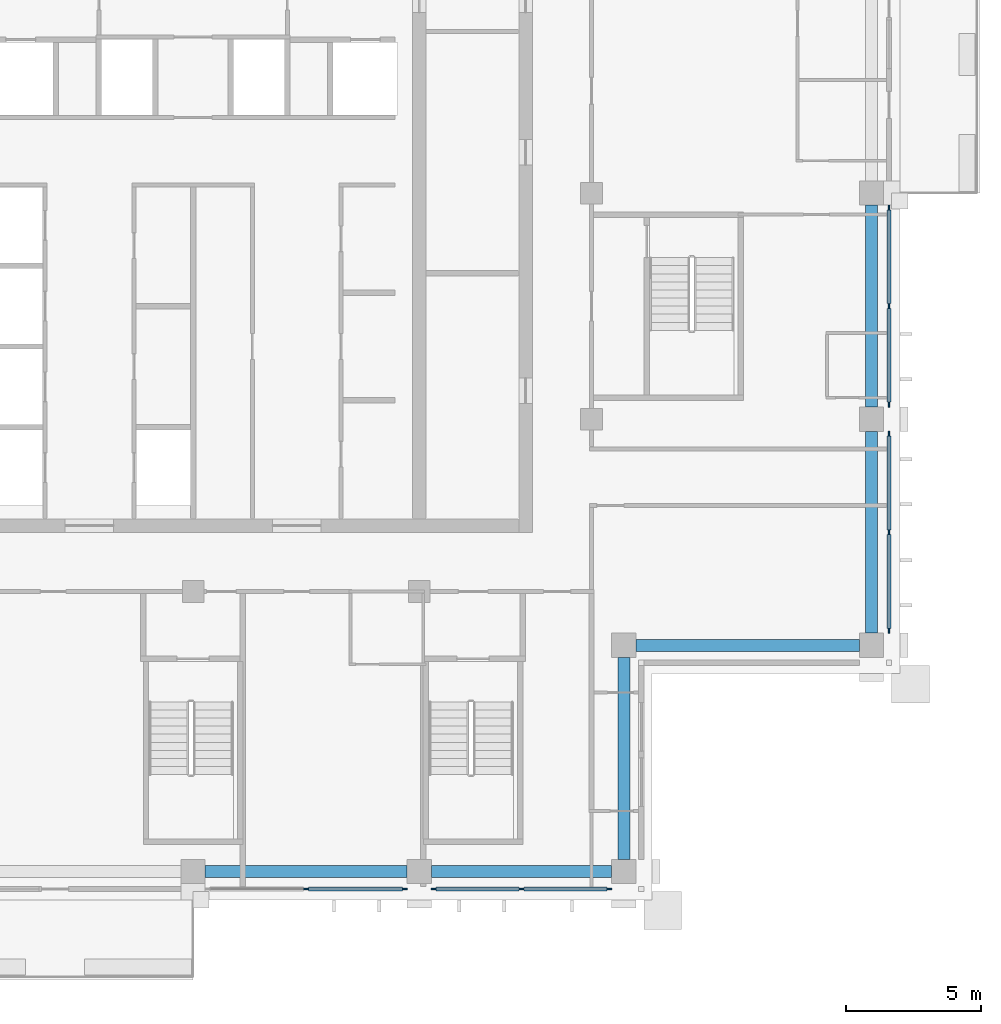
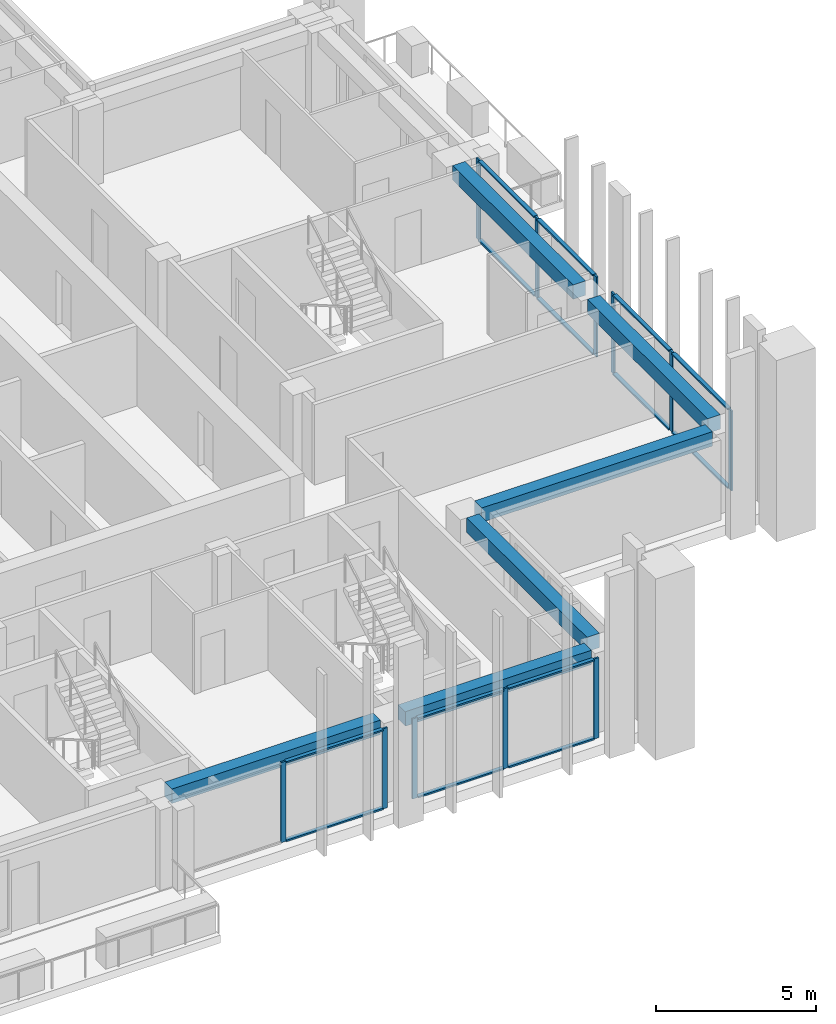
# One storey, part 4 of 16: 25 members, 6 beams, 4 elements without a shape of their own.
"""IFC4 building model written with IfcOpenShell, lengths in metres."""

from ifc_helpers import new_model, si_unit, direction, frame, origin, origin_2d, place, context, subcontext, project, spatial, rectangle, extrude, material, material_profile, profile_set, type_object, element, aggregate, save


model = new_model("IFC4")

# Units and contexts
model_context = context("Model", 3, precision=1e-05, world=origin(), true_north=direction((0.0, 1.0)))
body_context = subcontext(model_context, "Body", "Model", "MODEL_VIEW")
ifc_project = project(units=[si_unit("LENGTHUNIT", "METRE"), si_unit("AREAUNIT", "SQUARE_METRE"), si_unit("VOLUMEUNIT", "CUBIC_METRE"), si_unit("PLANEANGLEUNIT", "RADIAN"), si_unit("MASSUNIT", "GRAM", prefix="KILO")], contexts=[model_context])

# Site, building, storey
site_placement = place(None, origin())
site = spatial("IfcSite", under=ifc_project, at=site_placement, CompositionType="ELEMENT")
building_placement = place(site_placement, origin())
building = spatial("IfcBuilding", under=site, at=building_placement, Name="Vermilion Ogive Tower", CompositionType="ELEMENT")
storey_placement = place(building_placement, frame((0.0, 0.0, 233.800048828125)))
storey = spatial("IfcBuildingStorey", under=building, at=storey_placement, Name="L61", CompositionType="ELEMENT", Elevation=233.800048828125)

# Curtain wall, members
ifc_material_1 = material(Name="Low-iron laminated glazing in aluminium frame", Category="aluminium")
curtain_wall_type = type_object("IfcCurtainWallType", Name="Curtain wall CW7", PredefinedType="NOTDEFINED", material=ifc_material_1)
curtain_wall_1_placement = place(storey_placement, origin())
curtain_wall_1 = element("IfcCurtainWall", 1, at=curtain_wall_1_placement, inside=storey, type_object=curtain_wall_type, Name="Glazed skin S3", PredefinedType="NOTDEFINED")
ifc_material_2 = material(Name="Aluminium mullion", Category="aluminium")
ifc_material_profile_1 = material_profile(ifc_material_2, rectangle(XDim=0.06005859375, YDim=0.179931640625, at=origin_2d()), Name="AL 60x180")
ifc_profile_set_1 = profile_set([ifc_material_profile_1], Name="Aluminium mullion")
member_type_1 = type_object("IfcMemberType", Name="CW7 mullion 60x180", PredefinedType="MULLION", material=ifc_profile_set_1)
member_1_placement = place(storey_placement, frame((4.199951171875, -21.64990234375, 0.0), z_axis=(0.0, 0.0, 1.0), x_axis=(0.0, 1.0, 0.0)))
member_1 = element("IfcMember", 2, at=member_1_placement, type_object=member_type_1, Name="CW7-S3 mullion 2", PredefinedType="MULLION", context=body_context, shape_type="SweptSolid", body=[
    extrude(rectangle(XDim=0.06005859375, YDim=0.179931640625, at=origin_2d()), origin(), (0.0, 0.0, 1.0), 3.050048828125),
])
member_2_placement = place(storey_placement, frame((7.860107421875, -21.64990234375, 0.0), z_axis=(0.0, 0.0, 1.0), x_axis=(0.0, 1.0, 0.0)))
member_2 = element("IfcMember", 3, at=member_2_placement, type_object=member_type_1, Name="CW7-S3 mullion 3", PredefinedType="MULLION", context=body_context, shape_type="SweptSolid", body=[
    extrude(rectangle(XDim=0.06005859375, YDim=0.179931640625, at=origin_2d()), origin(), (0.0, 0.0, 1.0), 3.050048828125),
])

curtain_wall_2_placement = place(storey_placement, origin())
curtain_wall_2 = element("IfcCurtainWall", 4, at=curtain_wall_2_placement, inside=storey, type_object=curtain_wall_type, Name="Glazed skin S4", PredefinedType="NOTDEFINED")
member_3_placement = place(storey_placement, frame((8.93994140625, -21.64990234375, 0.0), z_axis=(0.0, 0.0, 1.0), x_axis=(0.0, 1.0, 0.0)))
member_3 = element("IfcMember", 5, at=member_3_placement, type_object=member_type_1, Name="CW7-S4 mullion 1", PredefinedType="MULLION", context=body_context, shape_type="SweptSolid", body=[
    extrude(rectangle(XDim=0.06005859375, YDim=0.179931640625, at=origin_2d()), origin(), (0.0, 0.0, 1.0), 3.050048828125),
])
member_4_placement = place(storey_placement, frame((12.199951171875, -21.64990234375, 0.0), z_axis=(0.0, 0.0, 1.0), x_axis=(0.0, 1.0, 0.0)))
member_4 = element("IfcMember", 6, at=member_4_placement, type_object=member_type_1, Name="CW7-S4 mullion 2", PredefinedType="MULLION", context=body_context, shape_type="SweptSolid", body=[
    extrude(rectangle(XDim=0.06005859375, YDim=0.179931640625, at=origin_2d()), origin(), (0.0, 0.0, 1.0), 3.050048828125),
])
member_5_placement = place(storey_placement, frame((15.4599609375, -21.64990234375, 0.0), z_axis=(0.0, 0.0, 1.0), x_axis=(0.0, 1.0, 0.0)))
member_5 = element("IfcMember", 7, at=member_5_placement, type_object=member_type_1, Name="CW7-S4 mullion 3", PredefinedType="MULLION", context=body_context, shape_type="SweptSolid", body=[
    extrude(rectangle(XDim=0.06005859375, YDim=0.179931640625, at=origin_2d()), origin(), (0.0, 0.0, 1.0), 3.050048828125),
])

curtain_wall_3_placement = place(storey_placement, origin())
curtain_wall_3 = element("IfcCurtainWall", 8, at=curtain_wall_3_placement, inside=storey, type_object=curtain_wall_type, Name="Glazed skin E1", PredefinedType="NOTDEFINED")
member_6_placement = place(storey_placement, frame((25.85009765625, -12.06005859375, 0.0), z_axis=(0.0, 0.0, 1.0), x_axis=(-1.0, 0.0, 0.0)))
member_6 = element("IfcMember", 9, at=member_6_placement, type_object=member_type_1, Name="CW7-E1 mullion 1", PredefinedType="MULLION", context=body_context, shape_type="SweptSolid", body=[
    extrude(rectangle(XDim=0.06005859375, YDim=0.179931640625, at=origin_2d()), origin(), (0.0, 0.0, 1.0), 3.050048828125),
])
member_7_placement = place(storey_placement, frame((25.85009765625, -8.39990234375, 0.0), z_axis=(0.0, 0.0, 1.0), x_axis=(-1.0, 0.0, 0.0)))
member_7 = element("IfcMember", 10, at=member_7_placement, type_object=member_type_1, Name="CW7-E1 mullion 2", PredefinedType="MULLION", context=body_context, shape_type="SweptSolid", body=[
    extrude(rectangle(XDim=0.06005859375, YDim=0.179931640625, at=origin_2d()), origin(), (0.0, 0.0, 1.0), 3.050048828125),
])
member_8_placement = place(storey_placement, frame((25.85009765625, -4.739990234375, 0.0), z_axis=(0.0, 0.0, 1.0), x_axis=(-1.0, 0.0, 0.0)))
member_8 = element("IfcMember", 11, at=member_8_placement, type_object=member_type_1, Name="CW7-E1 mullion 3", PredefinedType="MULLION", context=body_context, shape_type="SweptSolid", body=[
    extrude(rectangle(XDim=0.06005859375, YDim=0.179931640625, at=origin_2d()), origin(), (0.0, 0.0, 1.0), 3.050048828125),
])

curtain_wall_4_placement = place(storey_placement, origin())
curtain_wall_4 = element("IfcCurtainWall", 12, at=curtain_wall_4_placement, inside=storey, type_object=curtain_wall_type, Name="Glazed skin E2", PredefinedType="NOTDEFINED")
member_9_placement = place(storey_placement, frame((25.85009765625, -3.659912109375, 0.0), z_axis=(0.0, 0.0, 1.0), x_axis=(-1.0, 0.0, 0.0)))
member_9 = element("IfcMember", 13, at=member_9_placement, type_object=member_type_1, Name="CW7-E2 mullion 1", PredefinedType="MULLION", context=body_context, shape_type="SweptSolid", body=[
    extrude(rectangle(XDim=0.06005859375, YDim=0.179931640625, at=origin_2d()), origin(), (0.0, 0.0, 1.0), 3.050048828125),
])
member_10_placement = place(storey_placement, frame((25.85009765625, 0.0, 0.0), z_axis=(0.0, 0.0, 1.0), x_axis=(-1.0, 0.0, 0.0)))
member_10 = element("IfcMember", 14, at=member_10_placement, type_object=member_type_1, Name="CW7-E2 mullion 2", PredefinedType="MULLION", context=body_context, shape_type="SweptSolid", body=[
    extrude(rectangle(XDim=0.06005859375, YDim=0.179931640625, at=origin_2d()), origin(), (0.0, 0.0, 1.0), 3.050048828125),
])
member_11_placement = place(storey_placement, frame((25.85009765625, 3.659912109375, 0.0), z_axis=(0.0, 0.0, 1.0), x_axis=(-1.0, 0.0, 0.0)))
member_11 = element("IfcMember", 15, at=member_11_placement, type_object=member_type_1, Name="CW7-E2 mullion 3", PredefinedType="MULLION", context=body_context, shape_type="SweptSolid", body=[
    extrude(rectangle(XDim=0.06005859375, YDim=0.179931640625, at=origin_2d()), origin(), (0.0, 0.0, 1.0), 3.050048828125),
])

# Member
ifc_material_3 = material(Name="Aluminium transom", Category="aluminium")
ifc_material_profile_2 = material_profile(ifc_material_3, rectangle(XDim=0.139892578125, YDim=0.06005859375, at=origin_2d()), Name="AL 60x140")
ifc_profile_set_2 = profile_set([ifc_material_profile_2], Name="Aluminium transom")
member_type_2 = type_object("IfcMemberType", Name="CW7 transom 60x140", PredefinedType="USERDEFINED", material=ifc_profile_set_2)
member_12_placement = place(storey_placement, frame((4.2900390625, -21.64990234375, 0.030029296875), z_axis=(1.0, 0.0, 0.0), x_axis=(0.0, 1.0, 0.0)))
member_12 = element("IfcMember", 16, at=member_12_placement, type_object=member_type_2, Name="CW7-S3 transom 2.1", ObjectType="TRANSOM", PredefinedType="USERDEFINED", context=body_context, shape_type="SweptSolid", body=[
    extrude(rectangle(XDim=0.139892578125, YDim=0.06005859375, at=origin_2d()), origin(), (0.0, 0.0, 1.0), 3.47998046875),
])

member_13_placement = place(storey_placement, frame((4.2900390625, -21.64990234375, 3.02001953125), z_axis=(1.0, 0.0, 0.0), x_axis=(0.0, 1.0, 0.0)))
member_13 = element("IfcMember", 17, at=member_13_placement, type_object=member_type_2, Name="CW7-S3 transom 2.2", ObjectType="TRANSOM", PredefinedType="USERDEFINED", context=body_context, shape_type="SweptSolid", body=[
    extrude(rectangle(XDim=0.139892578125, YDim=0.06005859375, at=origin_2d()), origin(), (0.0, 0.0, 1.0), 3.47998046875),
])

aggregate(curtain_wall_1, [member_1, member_2, member_12, member_13])

member_14_placement = place(storey_placement, frame((9.030029296875, -21.64990234375, 0.030029296875), z_axis=(1.0, 0.0, 0.0), x_axis=(0.0, 1.0, 0.0)))
member_14 = element("IfcMember", 18, at=member_14_placement, type_object=member_type_2, Name="CW7-S4 transom 1.1", ObjectType="TRANSOM", PredefinedType="USERDEFINED", context=body_context, shape_type="SweptSolid", body=[
    extrude(rectangle(XDim=0.139892578125, YDim=0.06005859375, at=origin_2d()), origin(), (0.0, 0.0, 1.0), 3.080078125),
])

member_15_placement = place(storey_placement, frame((9.030029296875, -21.64990234375, 3.02001953125), z_axis=(1.0, 0.0, 0.0), x_axis=(0.0, 1.0, 0.0)))
member_15 = element("IfcMember", 19, at=member_15_placement, type_object=member_type_2, Name="CW7-S4 transom 1.2", ObjectType="TRANSOM", PredefinedType="USERDEFINED", context=body_context, shape_type="SweptSolid", body=[
    extrude(rectangle(XDim=0.139892578125, YDim=0.06005859375, at=origin_2d()), origin(), (0.0, 0.0, 1.0), 3.080078125),
])

member_16_placement = place(storey_placement, frame((12.2900390625, -21.64990234375, 0.030029296875), z_axis=(1.0, 0.0, 0.0), x_axis=(0.0, 1.0, 0.0)))
member_16 = element("IfcMember", 20, at=member_16_placement, type_object=member_type_2, Name="CW7-S4 transom 2.1", ObjectType="TRANSOM", PredefinedType="USERDEFINED", context=body_context, shape_type="SweptSolid", body=[
    extrude(rectangle(XDim=0.139892578125, YDim=0.06005859375, at=origin_2d()), origin(), (0.0, 0.0, 1.0), 3.080078125),
])

member_17_placement = place(storey_placement, frame((12.2900390625, -21.64990234375, 3.02001953125), z_axis=(1.0, 0.0, 0.0), x_axis=(0.0, 1.0, 0.0)))
member_17 = element("IfcMember", 21, at=member_17_placement, type_object=member_type_2, Name="CW7-S4 transom 2.2", ObjectType="TRANSOM", PredefinedType="USERDEFINED", context=body_context, shape_type="SweptSolid", body=[
    extrude(rectangle(XDim=0.139892578125, YDim=0.06005859375, at=origin_2d()), origin(), (0.0, 0.0, 1.0), 3.080078125),
])

aggregate(curtain_wall_2, [member_3, member_4, member_5, member_14, member_15, member_16, member_17])

member_18_placement = place(storey_placement, frame((25.85009765625, -11.969970703125, 0.030029296875), z_axis=(0.0, 1.0, 0.0), x_axis=(-1.0, 0.0, 0.0)))
member_18 = element("IfcMember", 22, at=member_18_placement, type_object=member_type_2, Name="CW7-E1 transom 1.1", ObjectType="TRANSOM", PredefinedType="USERDEFINED", context=body_context, shape_type="SweptSolid", body=[
    extrude(rectangle(XDim=0.139892578125, YDim=0.06005859375, at=origin_2d()), origin(), (0.0, 0.0, 1.0), 3.47998046875),
])

member_19_placement = place(storey_placement, frame((25.85009765625, -11.969970703125, 3.02001953125), z_axis=(0.0, 1.0, 0.0), x_axis=(-1.0, 0.0, 0.0)))
member_19 = element("IfcMember", 23, at=member_19_placement, type_object=member_type_2, Name="CW7-E1 transom 1.2", ObjectType="TRANSOM", PredefinedType="USERDEFINED", context=body_context, shape_type="SweptSolid", body=[
    extrude(rectangle(XDim=0.139892578125, YDim=0.06005859375, at=origin_2d()), origin(), (0.0, 0.0, 1.0), 3.47998046875),
])

member_20_placement = place(storey_placement, frame((25.85009765625, -8.31005859375, 0.030029296875), z_axis=(0.0, 1.0, 0.0), x_axis=(-1.0, 0.0, 0.0)))
member_20 = element("IfcMember", 24, at=member_20_placement, type_object=member_type_2, Name="CW7-E1 transom 2.1", ObjectType="TRANSOM", PredefinedType="USERDEFINED", context=body_context, shape_type="SweptSolid", body=[
    extrude(rectangle(XDim=0.139892578125, YDim=0.06005859375, at=origin_2d()), origin(), (0.0, 0.0, 1.0), 3.47998046875),
])

member_21_placement = place(storey_placement, frame((25.85009765625, -8.31005859375, 3.02001953125), z_axis=(0.0, 1.0, 0.0), x_axis=(-1.0, 0.0, 0.0)))
member_21 = element("IfcMember", 25, at=member_21_placement, type_object=member_type_2, Name="CW7-E1 transom 2.2", ObjectType="TRANSOM", PredefinedType="USERDEFINED", context=body_context, shape_type="SweptSolid", body=[
    extrude(rectangle(XDim=0.139892578125, YDim=0.06005859375, at=origin_2d()), origin(), (0.0, 0.0, 1.0), 3.47998046875),
])

aggregate(curtain_wall_3, [member_6, member_7, member_8, member_18, member_19, member_20, member_21])

member_22_placement = place(storey_placement, frame((25.85009765625, -3.570068359375, 0.030029296875), z_axis=(0.0, 1.0, 0.0), x_axis=(-1.0, 0.0, 0.0)))
member_22 = element("IfcMember", 26, at=member_22_placement, type_object=member_type_2, Name="CW7-E2 transom 1.1", ObjectType="TRANSOM", PredefinedType="USERDEFINED", context=body_context, shape_type="SweptSolid", body=[
    extrude(rectangle(XDim=0.139892578125, YDim=0.06005859375, at=origin_2d()), origin(), (0.0, 0.0, 1.0), 3.47998046875),
])

member_23_placement = place(storey_placement, frame((25.85009765625, -3.570068359375, 3.02001953125), z_axis=(0.0, 1.0, 0.0), x_axis=(-1.0, 0.0, 0.0)))
member_23 = element("IfcMember", 27, at=member_23_placement, type_object=member_type_2, Name="CW7-E2 transom 1.2", ObjectType="TRANSOM", PredefinedType="USERDEFINED", context=body_context, shape_type="SweptSolid", body=[
    extrude(rectangle(XDim=0.139892578125, YDim=0.06005859375, at=origin_2d()), origin(), (0.0, 0.0, 1.0), 3.47998046875),
])

member_24_placement = place(storey_placement, frame((25.85009765625, 0.090087890625, 0.030029296875), z_axis=(0.0, 1.0, 0.0), x_axis=(-1.0, 0.0, 0.0)))
member_24 = element("IfcMember", 28, at=member_24_placement, type_object=member_type_2, Name="CW7-E2 transom 2.1", ObjectType="TRANSOM", PredefinedType="USERDEFINED", context=body_context, shape_type="SweptSolid", body=[
    extrude(rectangle(XDim=0.139892578125, YDim=0.06005859375, at=origin_2d()), origin(), (0.0, 0.0, 1.0), 3.47998046875),
])

member_25_placement = place(storey_placement, frame((25.85009765625, 0.090087890625, 3.02001953125), z_axis=(0.0, 1.0, 0.0), x_axis=(-1.0, 0.0, 0.0)))
member_25 = element("IfcMember", 29, at=member_25_placement, type_object=member_type_2, Name="CW7-E2 transom 2.2", ObjectType="TRANSOM", PredefinedType="USERDEFINED", context=body_context, shape_type="SweptSolid", body=[
    extrude(rectangle(XDim=0.139892578125, YDim=0.06005859375, at=origin_2d()), origin(), (0.0, 0.0, 1.0), 3.47998046875),
])

aggregate(curtain_wall_4, [member_9, member_10, member_11, member_22, member_23, member_24, member_25])

# Beams
ifc_material_4 = material(Name="Concrete B45", Category="concrete")
ifc_material_profile_3 = material_profile(ifc_material_4, rectangle(XDim=0.449951171875, YDim=0.550048828125, at=origin_2d()), Name="450 x 550")
ifc_profile_set_3 = profile_set([ifc_material_profile_3], Name="Concrete B45")
beam_type = type_object("IfcBeamType", Name="Edge beam 450 x 550 B45", PredefinedType="BEAM", material=ifc_profile_set_3)
beam_1_placement = place(storey_placement, frame((0.449951171875, -21.0, 2.77490234375), z_axis=(1.0, 0.0, 0.0), x_axis=(0.0, 1.0, 0.0)))
element("IfcBeam", 30, at=beam_1_placement, inside=storey, type_object=beam_type, Name="L61-EB-3", PredefinedType="BEAM", context=body_context, shape_type="SweptSolid", body=[
    extrude(rectangle(XDim=0.449951171875, YDim=0.550048828125, at=origin_2d()), origin(), (0.0, 0.0, 1.0), 7.5),
])
beam_2_placement = place(storey_placement, frame((8.85009765625, -21.0, 2.77490234375), z_axis=(1.0, 0.0, 0.0), x_axis=(0.0, 1.0, 0.0)))
element("IfcBeam", 31, at=beam_2_placement, inside=storey, type_object=beam_type, Name="L61-EB-4", PredefinedType="BEAM", context=body_context, shape_type="SweptSolid", body=[
    extrude(rectangle(XDim=0.449951171875, YDim=0.550048828125, at=origin_2d()), origin(), (0.0, 0.0, 1.0), 6.699951171875),
])
beam_3_placement = place(storey_placement, frame((16.0, -20.550048828125, 2.77490234375), z_axis=(0.0, 1.0, 0.0), x_axis=(-1.0, 0.0, 0.0)))
element("IfcBeam", 32, at=beam_3_placement, inside=storey, type_object=beam_type, Name="L61-EB-5", PredefinedType="BEAM", context=body_context, shape_type="SweptSolid", body=[
    extrude(rectangle(XDim=0.449951171875, YDim=0.550048828125, at=origin_2d()), origin(), (0.0, 0.0, 1.0), 7.5),
])
beam_4_placement = place(storey_placement, frame((16.449951171875, -12.60009765625, 2.77490234375), z_axis=(1.0, 0.0, 0.0), x_axis=(0.0, 1.0, 0.0)))
element("IfcBeam", 33, at=beam_4_placement, inside=storey, type_object=beam_type, Name="L61-EB-6", PredefinedType="BEAM", context=body_context, shape_type="SweptSolid", body=[
    extrude(rectangle(XDim=0.449951171875, YDim=0.550048828125, at=origin_2d()), origin(), (0.0, 0.0, 1.0), 8.300048828125),
])
for number, where, z_axis, x_axis, name in (
    (34, (25.199951171875, -12.14990234375, 2.77490234375), (0.0, 1.0, 0.0), (-1.0, 0.0, 0.0), "L61-EB-7"),
    (35, (25.199951171875, -3.75, 2.77490234375), (0.0, 1.0, 0.0), (-1.0, 0.0, 0.0), "L61-EB-8"),
):
    element("IfcBeam", number, at=place(storey_placement, frame(where, z_axis=z_axis, x_axis=x_axis)), inside=storey, type_object=beam_type, Name=name, PredefinedType="BEAM", context=body_context, shape_type="SweptSolid", body=[
        extrude(rectangle(XDim=0.449951171875, YDim=0.550048828125, at=origin_2d()), origin(), (0.0, 0.0, 1.0), 7.5),
    ])

save(model, "model.ifc")
